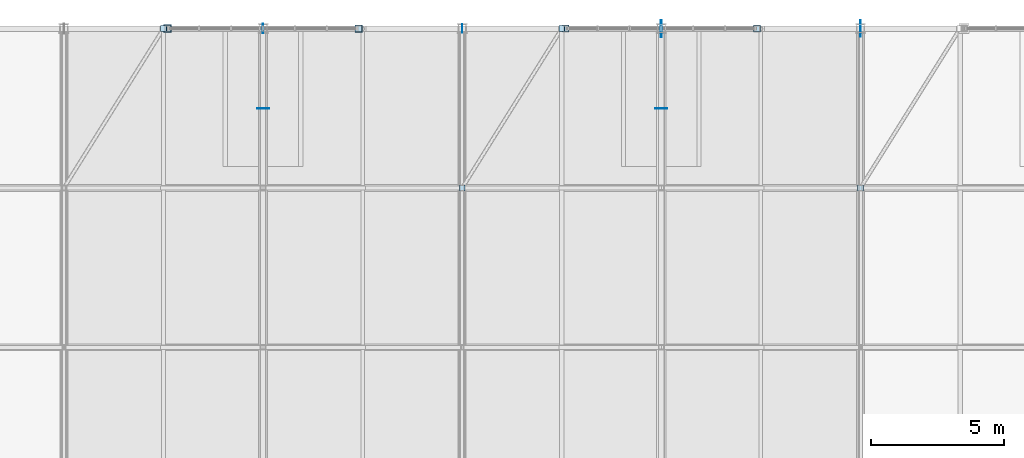
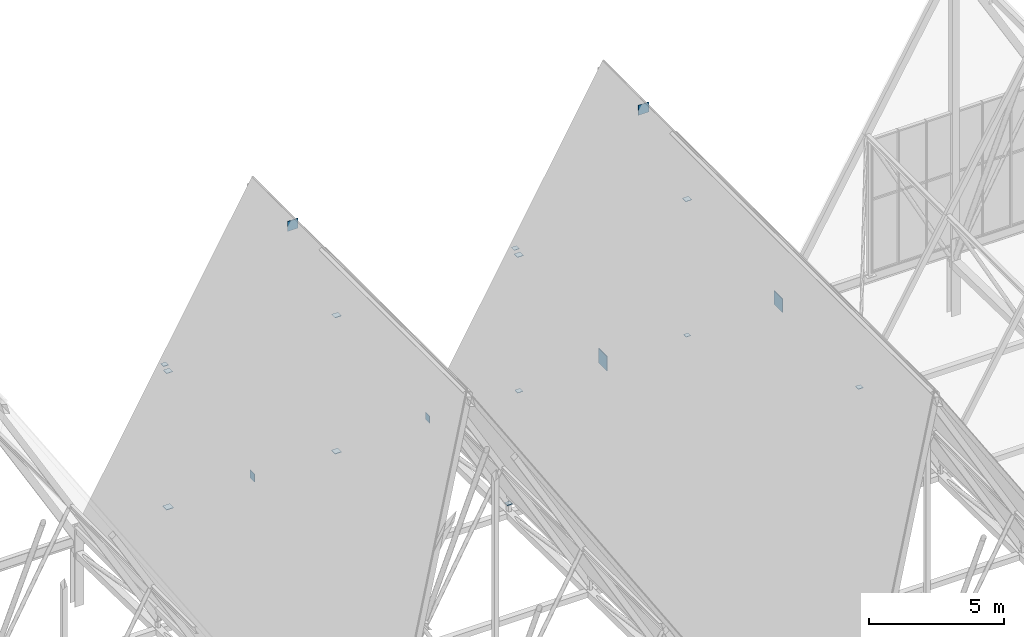
# One storey, part 301 of 324: 18 plates.
"""IFC4 building model written with IfcOpenShell, lengths in metres."""

from ifc_helpers import new_model, si_unit, direction, frame, origin, origin_2d, place, context, subcontext, project, spatial, rectangle, extrude, material, layer, layer_set, type_object, element, save


model = new_model("IFC4")

# Units and contexts
model_context = context("Model", 3, precision=1e-05, world=origin(), true_north=direction((0.0, 1.0)))
body_context = subcontext(model_context, "Body", "Model", "MODEL_VIEW")
ifc_project = project(units=[si_unit("LENGTHUNIT", "METRE"), si_unit("AREAUNIT", "SQUARE_METRE"), si_unit("VOLUMEUNIT", "CUBIC_METRE"), si_unit("PLANEANGLEUNIT", "RADIAN"), si_unit("MASSUNIT", "GRAM", prefix="KILO")], contexts=[model_context])

# Site, building, storey
site_placement = place(None, origin())
site = spatial("IfcSite", under=ifc_project, at=site_placement, CompositionType="ELEMENT")
building_placement = place(site_placement, origin())
building = spatial("IfcBuilding", under=site, at=building_placement, Name="Solvenia Promenade Tram Depot", CompositionType="ELEMENT")
storey_placement = place(building_placement, frame((0.0, 0.0, 4.5)))
storey = spatial("IfcBuildingStorey", under=building, at=storey_placement, Name="L01", CompositionType="ELEMENT", Elevation=4.5)

# Plates
ifc_material = material(Name="Structural steel ASTM A572 Gr. 50", Category="steel")
ifc_layer_1 = layer(ifc_material, 0.013916015625, Name="Structural steel ASTM A572 Gr. 50", Category="steel")
ifc_layer_set_1 = layer_set([ifc_layer_1], Name="Structural steel ASTM A572 Gr. 50")
plate_type_1 = type_object("IfcPlateType", Name="EndCap-CP10", PredefinedType="SHEET", material=ifc_layer_set_1)
plate_1_placement = place(storey_placement, frame((78.89990234375, 126.0, 2.9931640625), z_axis=(0.0, 0.0, 1.0), x_axis=(1.0, 0.0, 0.0)))
element("IfcPlate", 1, at=plate_1_placement, inside=storey, type_object=plate_type_1, Name="Gable Jamb Bottom Cap Plate 021", PredefinedType="SHEET", context=body_context, shape_type="SweptSolid", body=[
    extrude(rectangle(XDim=0.219970703125, YDim=0.219970703125, at=origin_2d()), origin(), (0.0, 0.0, 1.0), 0.013916015625),
])
ifc_layer_2 = layer(ifc_material, 0.012939453125, Name="Structural steel ASTM A572 Gr. 50", Category="steel")
ifc_layer_set_2 = layer_set([ifc_layer_2], Name="Structural steel ASTM A572 Gr. 50")
plate_type_2 = type_object("IfcPlateType", Name="EndCap-CP11", PredefinedType="SHEET", material=ifc_layer_set_2)
plate_2_placement = place(storey_placement, frame((86.10009765625, 126.0, 2.99365234375), z_axis=(0.0, 0.0, 1.0), x_axis=(1.0, 0.0, 0.0)))
element("IfcPlate", 2, at=plate_2_placement, inside=storey, type_object=plate_type_2, Name="Gable Jamb Bottom Cap Plate 022", PredefinedType="SHEET", context=body_context, shape_type="SweptSolid", body=[
    extrude(rectangle(XDim=0.199951171875, YDim=0.199951171875, at=origin_2d()), origin(), (0.0, 0.0, 1.0), 0.012939453125),
])
ifc_layer_3 = layer(ifc_material, 0.02001953125, Name="Structural steel ASTM A572 Gr. 50", Category="steel")
ifc_layer_set_3 = layer_set([ifc_layer_3], Name="Structural steel ASTM A572 Gr. 50")
plate_type_3 = type_object("IfcPlateType", Name="EndCap-CP4", PredefinedType="SHEET", material=ifc_layer_set_3)
for number, where, z_axis, x_axis, name in (
    (3, (63.89990234375, 126.0, 9.141845703125), (0.0, 0.0, 1.0), (1.0, 0.0, 0.0), "Gable Jamb Top Cap Plate 017"),
    (4, (71.10009765625, 126.0, 9.141845703125), (0.0, 0.0, 1.0), (1.0, 0.0, 0.0), "Gable Jamb Top Cap Plate 018"),
    (5, (78.89990234375, 126.0, 9.141845703125), (0.0, 0.0, 1.0), (1.0, 0.0, 0.0), "Gable Jamb Top Cap Plate 021"),
    (6, (86.10009765625, 126.0, 9.141845703125), (0.0, 0.0, 1.0), (1.0, 0.0, 0.0), "Gable Jamb Top Cap Plate 022"),
):
    element("IfcPlate", number, at=place(storey_placement, frame(where, z_axis=z_axis, x_axis=x_axis)), inside=storey, type_object=plate_type_3, Name=name, PredefinedType="SHEET", context=body_context, shape_type="SweptSolid", body=[
        extrude(rectangle(XDim=0.260009765625, YDim=0.260009765625, at=origin_2d()), origin(), (0.0, 0.0, 1.0), 0.01611328125),
    ])
ifc_layer_4 = layer(ifc_material, 0.01904296875, Name="Structural steel ASTM A572 Gr. 50", Category="steel")
ifc_layer_set_4 = layer_set([ifc_layer_4], Name="Structural steel ASTM A572 Gr. 50")
plate_type_4 = type_object("IfcPlateType", Name="EndCap-CP5", PredefinedType="SHEET", material=ifc_layer_set_4)
for number, where, z_axis, x_axis, name in (
    (7, (63.75, 126.0, 9.49169921875), (0.0, 0.0, 1.0), (1.0, 0.0, 0.0), "Roof Brace Node Plate 010B"),
    (8, (75.0, 120.0, 2.90673828125), (0.0, 0.0, 1.0), (1.0, 0.0, 0.0), "Roof Brace Node Plate 012A"),
    (9, (78.75, 126.0, 9.49169921875), (0.0, 0.0, 1.0), (1.0, 0.0, 0.0), "Roof Brace Node Plate 012B"),
    (10, (90.0, 120.0, 2.91162109375), (0.0, 0.0, 1.0), (1.0, 0.0, 0.0), "Roof Brace Node Plate 014A"),
):
    element("IfcPlate", number, at=place(storey_placement, frame(where, z_axis=z_axis, x_axis=x_axis)), inside=storey, type_object=plate_type_4, Name=name, PredefinedType="SHEET", context=body_context, shape_type="SweptSolid", body=[
        extrude(rectangle(XDim=0.219970703125, YDim=0.219970703125, at=origin_2d()), origin(), (0.0, 0.0, 1.0), 0.01904296875),
    ])
ifc_layer_5 = layer(ifc_material, 0.01806640625, Name="Structural steel ASTM A572 Gr. 50", Category="steel")
ifc_layer_set_5 = layer_set([ifc_layer_5], Name="Structural steel ASTM A572 Gr. 50")
plate_type_5 = type_object("IfcPlateType", Name="EndCap-CP6", PredefinedType="SHEET", material=ifc_layer_set_5)
plate_3_placement = place(storey_placement, frame((63.89990234375, 126.0, 2.990966796875), z_axis=(0.0, 0.0, 1.0), x_axis=(1.0, 0.0, 0.0)))
element("IfcPlate", 11, at=plate_3_placement, inside=storey, type_object=plate_type_5, Name="Gable Jamb Bottom Cap Plate 017", PredefinedType="SHEET", context=body_context, shape_type="SweptSolid", body=[
    extrude(rectangle(XDim=0.300048828125, YDim=0.300048828125, at=origin_2d()), origin(), (0.0, 0.0, 1.0), 0.01806640625),
])
ifc_layer_6 = layer(ifc_material, 0.01708984375, Name="Structural steel ASTM A572 Gr. 50", Category="steel")
ifc_layer_set_6 = layer_set([ifc_layer_6], Name="Structural steel ASTM A572 Gr. 50")
plate_type_6 = type_object("IfcPlateType", Name="EndCap-CP7", PredefinedType="SHEET", material=ifc_layer_set_6)
plate_4_placement = place(storey_placement, frame((71.10009765625, 126.0, 2.991455078125), z_axis=(0.0, 0.0, 1.0), x_axis=(1.0, 0.0, 0.0)))
element("IfcPlate", 12, at=plate_4_placement, inside=storey, type_object=plate_type_6, Name="Gable Jamb Bottom Cap Plate 018", PredefinedType="SHEET", context=body_context, shape_type="SweptSolid", body=[
    extrude(rectangle(XDim=0.280029296875, YDim=0.280029296875, at=origin_2d()), origin(), (0.0, 0.0, 1.0), 0.01708984375),
])
ifc_layer_7 = layer(ifc_material, 0.028076171875, Name="Structural steel ASTM A572 Gr. 50", Category="steel")
ifc_layer_set_7 = layer_set([ifc_layer_7], Name="Structural steel ASTM A572 Gr. 50")
plate_type_7 = type_object("IfcPlateType", Name="Gusset-GP1", PredefinedType="USERDEFINED", material=ifc_layer_set_7)
plate_5_placement = place(storey_placement, frame((82.5, 126.0, 2.824951171875), z_axis=(0.0, 0.0, 1.0), x_axis=(1.0, 0.0, 0.0)))
element("IfcPlate", 13, at=plate_5_placement, inside=storey, type_object=plate_type_7, Name="Arched Truss Shoe Gusset 12N", ObjectType="GUSSET PLATE", PredefinedType="USERDEFINED", context=body_context, shape_type="SweptSolid", body=[
    extrude(rectangle(XDim=0.028076171875, YDim=0.64990234375, at=origin_2d()), origin(), (0.0, 0.0, 1.0), 0.64990234375),
])
ifc_layer_8 = layer(ifc_material, 0.01611328125, Name="Structural steel ASTM A572 Gr. 50", Category="steel")
ifc_layer_set_8 = layer_set([ifc_layer_8], Name="Structural steel ASTM A572 Gr. 50")
plate_type_8 = type_object("IfcPlateType", Name="Gusset-GP11", PredefinedType="USERDEFINED", material=ifc_layer_set_8)
plate_6_placement = place(storey_placement, frame((67.5, 126.0, 2.974853515625), z_axis=(0.0, 0.0, 1.0), x_axis=(1.0, 0.0, 0.0)))
element("IfcPlate", 14, at=plate_6_placement, inside=storey, type_object=plate_type_8, Name="Arched Truss Shoe Gusset 10N", ObjectType="GUSSET PLATE", PredefinedType="USERDEFINED", context=body_context, shape_type="SweptSolid", body=[
    extrude(rectangle(XDim=0.01611328125, YDim=0.35009765625, at=origin_2d()), origin(), (0.0, 0.0, 1.0), 0.35009765625),
])
ifc_layer_9 = layer(ifc_material, 0.014892578125, Name="Structural steel ASTM A572 Gr. 50", Category="steel")
ifc_layer_set_9 = layer_set([ifc_layer_9], Name="Structural steel ASTM A572 Gr. 50")
plate_type_9 = type_object("IfcPlateType", Name="Gusset-GP12", PredefinedType="USERDEFINED", material=ifc_layer_set_9)
plate_7_placement = place(storey_placement, frame((75.0, 126.0, 2.98974609375), z_axis=(0.0, 0.0, 1.0), x_axis=(1.0, 0.0, 0.0)))
element("IfcPlate", 15, at=plate_7_placement, inside=storey, type_object=plate_type_9, Name="Arched Truss Shoe Gusset 11N", ObjectType="GUSSET PLATE", PredefinedType="USERDEFINED", context=body_context, shape_type="SweptSolid", body=[
    extrude(rectangle(XDim=0.014892578125, YDim=0.320068359375, at=origin_2d()), origin(), (0.0, 0.0, 1.0), 0.320068359375),
])
ifc_layer_10 = layer(ifc_material, 0.02587890625, Name="Structural steel ASTM A572 Gr. 50", Category="steel")
ifc_layer_set_10 = layer_set([ifc_layer_10], Name="Structural steel ASTM A572 Gr. 50")
plate_type_10 = type_object("IfcPlateType", Name="Gusset-GP2", PredefinedType="USERDEFINED", material=ifc_layer_set_10)
plate_8_placement = place(storey_placement, frame((90.0, 126.0, 2.83984375), z_axis=(0.0, 0.0, 1.0), x_axis=(1.0, 0.0, 0.0)))
element("IfcPlate", 16, at=plate_8_placement, inside=storey, type_object=plate_type_10, Name="Arched Truss Shoe Gusset 13N", ObjectType="GUSSET PLATE", PredefinedType="USERDEFINED", context=body_context, shape_type="SweptSolid", body=[
    extrude(rectangle(XDim=0.02587890625, YDim=0.6201171875, at=origin_2d()), origin(), (0.0, 0.0, 1.0), 0.6201171875),
])
ifc_layer_11 = layer(ifc_material, 0.02392578125, Name="Structural steel ASTM A572 Gr. 50", Category="steel")
ifc_layer_set_11 = layer_set([ifc_layer_11], Name="Structural steel ASTM A572 Gr. 50")
plate_type_11 = type_object("IfcPlateType", Name="Gusset-GP4", PredefinedType="USERDEFINED", material=ifc_layer_set_11)
for number, where, z_axis, x_axis, name in (
    (17, (67.5, 123.0, 16.09521484375), (0.0, 0.0, 1.0), (1.0, 0.0, 0.0), "Ridge Node Gusset T10-S10"),
    (18, (82.5, 123.0, 16.09521484375), (0.0, 0.0, 1.0), (1.0, 0.0, 0.0), "Ridge Node Gusset T12-S10"),
):
    element("IfcPlate", number, at=place(storey_placement, frame(where, z_axis=z_axis, x_axis=x_axis)), inside=storey, type_object=plate_type_11, Name=name, ObjectType="GUSSET PLATE", PredefinedType="USERDEFINED", context=body_context, shape_type="SweptSolid", body=[
        extrude(rectangle(XDim=0.449951171875, YDim=0.02001953125, at=origin_2d()), origin(), (0.0, 0.0, 1.0), 0.449951171875),
    ])

save(model, "model.ifc")
